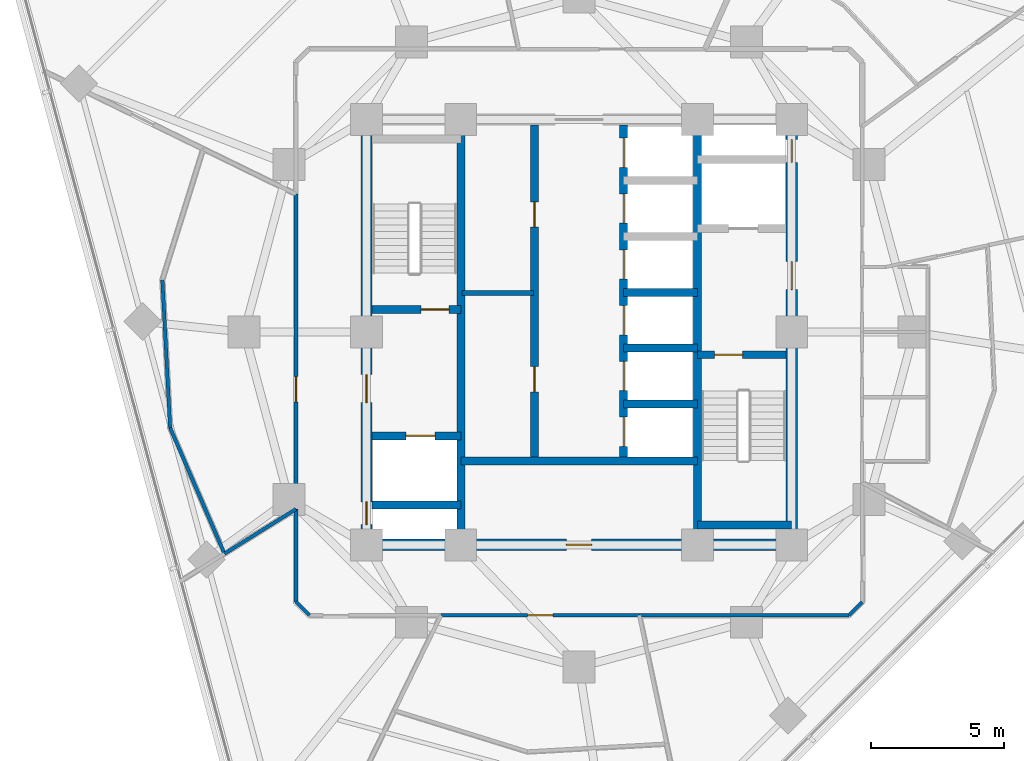
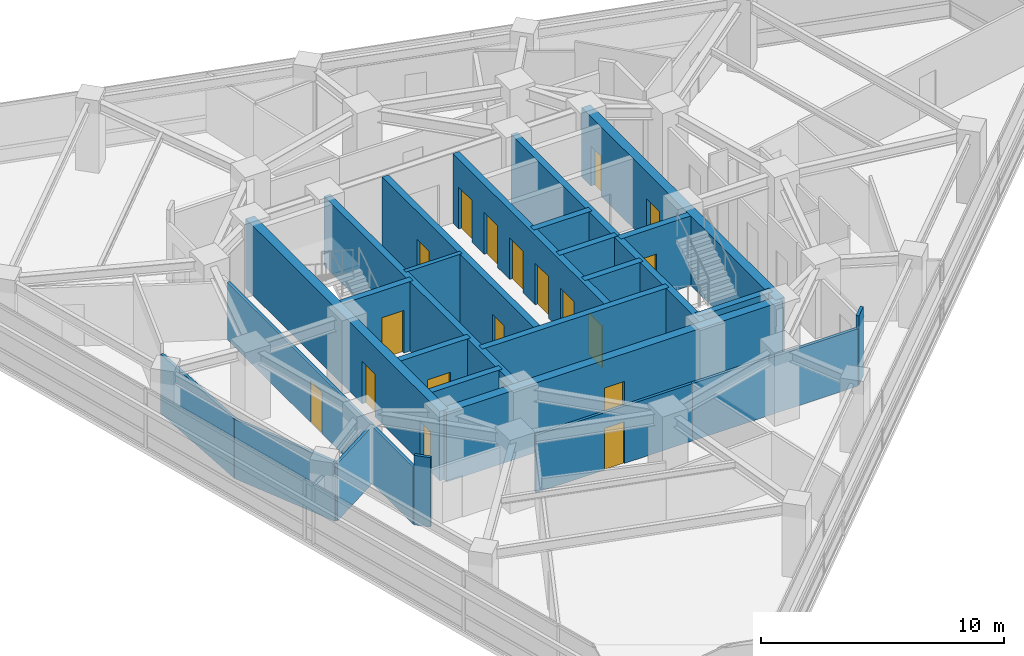
# One storey, part 7 of 14: 26 walls, 18 doors, 18 openings.
"""IFC4 building model written with IfcOpenShell, lengths in metres."""

from ifc_helpers import new_model, si_unit, direction, frame, frame_2d, origin, place, context, subcontext, project, spatial, rectangle, extrude, material, layer, layer_set, type_object, element, fill, save


model = new_model("IFC4")

# Units and contexts
model_context = context("Model", 3, precision=1e-05, world=origin(), true_north=direction((0.0, 1.0)))
body_context = subcontext(model_context, "Body", "Model", "MODEL_VIEW")
ifc_project = project(units=[si_unit("LENGTHUNIT", "METRE"), si_unit("AREAUNIT", "SQUARE_METRE"), si_unit("VOLUMEUNIT", "CUBIC_METRE"), si_unit("PLANEANGLEUNIT", "RADIAN"), si_unit("MASSUNIT", "GRAM", prefix="KILO")], contexts=[model_context])

# Site, building, storey
site_placement = place(None, origin())
site = spatial("IfcSite", under=ifc_project, at=site_placement, CompositionType="ELEMENT")
building_placement = place(site_placement, origin())
building = spatial("IfcBuilding", under=site, at=building_placement, Name="Terralouvre Media Tower", CompositionType="ELEMENT")
storey_placement = place(building_placement, frame((0.0, 0.0, 187.89990234375)))
storey = spatial("IfcBuildingStorey", under=building, at=storey_placement, Name="L48", CompositionType="ELEMENT", Elevation=187.89990234375)

# Walls
ifc_material_1 = material(Name="Concrete C50/60", Category="concrete")
ifc_layer_1 = layer(ifc_material_1, 0.300048828125, Name="Core Internal Shaft Wall CW-300")
ifc_layer_set_1 = layer_set([ifc_layer_1], Name="Concrete C50/60")
wall_type_1 = type_object("IfcWallType", Name="Core Internal Shaft Wall CW-300", PredefinedType="SHEAR", material=ifc_layer_set_1)
for number, where, z_axis, x_axis, name in (
    (1, (-4.449951171875, -7.7900390625, 0.0), (0.0, 0.0, 1.0), (0.0, 1.0, 0.0), "L48 Core Shaft Wall SPW"),
    (2, (4.449951171875, -7.7900390625, 0.0), (0.0, 0.0, 1.0), (0.0, 1.0, 0.0), "L48 Core Shaft Wall SPE"),
):
    element("IfcWall", number, at=place(storey_placement, frame(where, z_axis=z_axis, x_axis=x_axis)), inside=storey, type_object=wall_type_1, Name=name, PredefinedType="SHEAR", context=body_context, shape_type="SweptSolid", body=[
        extrude(rectangle(XDim=15.580078125, YDim=0.300048828125, at=frame_2d((7.7900390625, 0.0))), origin(), (0.0, 0.0, 1.0), 3.5),
    ])

# Wall, opening, door
wall_1_placement = place(storey_placement, frame((-7.7900390625, 0.85009765625, 0.0), z_axis=(0.0, 0.0, 1.0), x_axis=(1.0, 0.0, 0.0)))
wall_1 = element("IfcWall", 3, at=wall_1_placement, inside=storey, type_object=wall_type_1, Name="L48 Core Shaft Wall ST1D", PredefinedType="SHEAR", context=body_context, shape_type="SweptSolid", body=[
    extrude(rectangle(XDim=3.340087890625, YDim=0.300048828125, at=frame_2d((1.669921875, 0.0))), origin(), (0.0, 0.0, 1.0), 3.5),
])
opening_1_placement = place(wall_1_placement, frame((1.85009765625, 0.0, 0.0)))
opening_1 = element("IfcOpeningElement", 4, at=opening_1_placement, cuts=wall_1, Name="Opening FD-01-105X215", PredefinedType="OPENING", context=body_context, shape_type="SweptSolid", body=[
    extrude(rectangle(XDim=1.050048828125, YDim=2.14990234375, at=frame_2d((0.52490234375, 1.074951171875))), frame((0.0, 0.159912109375, 0.0), z_axis=(0.0, -1.0, 0.0), x_axis=(1.0, 0.0, 0.0)), (0.0, 0.0, 1.0), 0.320068359375),
])
ifc_material_2 = material(Name="Galvanised steel fire-resisting leaf", Category="steel")
door_type_1 = type_object("IfcDoorType", Name="Stair and Firefighting Lobby Fire Door FD-01 (1050x2150)", OperationType="NOTDEFINED", PredefinedType="DOOR", material=ifc_material_2)
door_1_placement = place(opening_1_placement, origin())
door_1 = element("IfcDoor", 5, at=door_1_placement, inside=storey, type_object=door_type_1, Name="L48 ST-01 Exit Stair Door", OperationType="SINGLE_SWING_LEFT", OverallHeight=2.14990234375, OverallWidth=1.050048828125, PredefinedType="DOOR", context=body_context, shape_type="SweptSolid", body=[
    extrude(rectangle(XDim=1.050048828125, YDim=2.14990234375, at=frame_2d((0.52490234375, 1.074951171875))), frame((0.0, 0.02490234375, 0.0), z_axis=(0.0, -1.0, 0.0), x_axis=(1.0, 0.0, 0.0)), (0.0, 0.0, 1.0), 0.050048828125),
])
fill(opening_1, door_1)

wall_2_placement = place(storey_placement, frame((4.449951171875, -0.85009765625, 0.0), z_axis=(0.0, 0.0, 1.0), x_axis=(1.0, 0.0, 0.0)))
wall_2 = element("IfcWall", 6, at=wall_2_placement, inside=storey, type_object=wall_type_1, Name="L48 Core Shaft Wall ST2D", PredefinedType="SHEAR", context=body_context, shape_type="SweptSolid", body=[
    extrude(rectangle(XDim=3.340087890625, YDim=0.300048828125, at=frame_2d((1.669921875, 0.0))), origin(), (0.0, 0.0, 1.0), 3.5),
])
opening_2_placement = place(wall_2_placement, frame((0.64990234375, 0.0, 0.0)))
opening_2 = element("IfcOpeningElement", 7, at=opening_2_placement, cuts=wall_2, Name="Opening FD-01-105X215", PredefinedType="OPENING", context=body_context, shape_type="SweptSolid", body=[
    extrude(rectangle(XDim=1.050048828125, YDim=2.14990234375, at=frame_2d((0.52490234375, 1.074951171875))), frame((0.0, 0.159912109375, 0.0), z_axis=(0.0, -1.0, 0.0), x_axis=(1.0, 0.0, 0.0)), (0.0, 0.0, 1.0), 0.320068359375),
])
door_2_placement = place(opening_2_placement, origin())
door_2 = element("IfcDoor", 8, at=door_2_placement, inside=storey, type_object=door_type_1, Name="L48 ST-02 Exit Stair Door", OperationType="SINGLE_SWING_RIGHT", OverallHeight=2.14990234375, OverallWidth=1.050048828125, PredefinedType="DOOR", context=body_context, shape_type="SweptSolid", body=[
    extrude(rectangle(XDim=1.050048828125, YDim=2.14990234375, at=frame_2d((0.52490234375, 1.074951171875))), frame((0.0, 0.02490234375, 0.0), z_axis=(0.0, -1.0, 0.0), x_axis=(1.0, 0.0, 0.0)), (0.0, 0.0, 1.0), 0.050048828125),
])
fill(opening_2, door_2)

# Wall
wall_3_placement = place(storey_placement, frame((4.449951171875, -7.260009765625, 0.0), z_axis=(0.0, 0.0, 1.0), x_axis=(1.0, 0.0, 0.0)))
element("IfcWall", 9, at=wall_3_placement, inside=storey, type_object=wall_type_1, Name="L48 Core Shaft Wall ST2F", PredefinedType="SHEAR", context=body_context, shape_type="SweptSolid", body=[
    extrude(rectangle(XDim=3.550048828125, YDim=0.300048828125, at=frame_2d((1.77490234375, 0.0))), origin(), (0.0, 0.0, 1.0), 3.5),
])

# Wall, opening, door
wall_4_placement = place(storey_placement, frame((-7.7900390625, -3.89990234375, 0.0), z_axis=(0.0, 0.0, 1.0), x_axis=(1.0, 0.0, 0.0)))
wall_4 = element("IfcWall", 10, at=wall_4_placement, inside=storey, type_object=wall_type_1, Name="L48 Core Shaft Wall FF1N", PredefinedType="SHEAR", context=body_context, shape_type="SweptSolid", body=[
    extrude(rectangle(XDim=3.340087890625, YDim=0.300048828125, at=frame_2d((1.669921875, 0.0))), origin(), (0.0, 0.0, 1.0), 3.5),
])
opening_3_placement = place(wall_4_placement, frame((1.27001953125, 0.0, 0.0)))
opening_3 = element("IfcOpeningElement", 11, at=opening_3_placement, cuts=wall_4, Name="Opening LD-FF", PredefinedType="OPENING", context=body_context, shape_type="SweptSolid", body=[
    extrude(rectangle(XDim=1.10009765625, YDim=2.10009765625, at=frame_2d((0.550048828125, 1.050048828125))), frame((0.0, 0.159912109375, 0.0), z_axis=(0.0, -1.0, 0.0), x_axis=(1.0, 0.0, 0.0)), (0.0, 0.0, 1.0), 0.320068359375),
])
ifc_material_3 = material(Name="Stainless steel 316 handrail and balustrade", Category="steel")
door_type_2 = type_object("IfcDoorType", Name="Firefighting Lift Sliding Landing Door LD-FF", OperationType="SLIDING_TO_LEFT", PredefinedType="DOOR", material=ifc_material_3)
door_3_placement = place(opening_3_placement, origin())
door_3 = element("IfcDoor", 12, at=door_3_placement, inside=storey, type_object=door_type_2, Name="L48 Firefighting Lift FFL-01 Landing Door", OperationType="SLIDING_TO_LEFT", OverallHeight=2.10009765625, OverallWidth=1.10009765625, PredefinedType="DOOR", context=body_context, shape_type="SweptSolid", body=[
    extrude(rectangle(XDim=1.10009765625, YDim=2.10009765625, at=frame_2d((0.550048828125, 1.050048828125))), frame((0.0, 0.02490234375, 0.0), z_axis=(0.0, -1.0, 0.0), x_axis=(1.0, 0.0, 0.0)), (0.0, 0.0, 1.0), 0.050048828125),
])
fill(opening_3, door_3)

# Walls
wall_5_placement = place(storey_placement, frame((-7.7900390625, -6.5, 0.0), z_axis=(0.0, 0.0, 1.0), x_axis=(1.0, 0.0, 0.0)))
element("IfcWall", 13, at=wall_5_placement, inside=storey, type_object=wall_type_1, Name="L48 Core Shaft Wall FF1S", PredefinedType="SHEAR", context=body_context, shape_type="SweptSolid", body=[
    extrude(rectangle(XDim=3.340087890625, YDim=0.300048828125, at=frame_2d((1.669921875, 0.0))), origin(), (0.0, 0.0, 1.0), 3.5),
])
wall_6_placement = place(storey_placement, frame((-4.449951171875, -4.85009765625, 0.0), z_axis=(0.0, 0.0, 1.0), x_axis=(1.0, 0.0, 0.0)))
element("IfcWall", 14, at=wall_6_placement, inside=storey, type_object=wall_type_1, Name="L48 Core Shaft Wall CSBN", PredefinedType="SHEAR", context=body_context, shape_type="SweptSolid", body=[
    extrude(rectangle(XDim=8.89990234375, YDim=0.300048828125, at=frame_2d((4.449951171875, 0.0))), origin(), (0.0, 0.0, 1.0), 3.5),
])

# Wall, openings, doors
wall_7_placement = place(storey_placement, frame((-1.679931640625, -4.85009765625, 0.0), z_axis=(0.0, 0.0, 1.0), x_axis=(0.0, 1.0, 0.0)))
wall_7 = element("IfcWall", 15, at=wall_7_placement, inside=storey, type_object=wall_type_1, Name="L48 Core Shaft Wall LBW", PredefinedType="SHEAR", context=body_context, shape_type="SweptSolid", body=[
    extrude(rectangle(XDim=12.64013671875, YDim=0.300048828125, at=frame_2d((6.320068359375, 0.0))), origin(), (0.0, 0.0, 1.0), 3.5),
])
opening_4_placement = place(wall_7_placement, frame((2.60009765625, 0.0, 0.0)))
opening_4 = element("IfcOpeningElement", 16, at=opening_4_placement, cuts=wall_7, Name="Opening FD-02-95X210", PredefinedType="OPENING", context=body_context, shape_type="SweptSolid", body=[
    extrude(rectangle(XDim=0.949951171875, YDim=2.10009765625, at=frame_2d((0.47509765625, 1.050048828125))), frame((0.0, 0.159912109375, 0.0), z_axis=(0.0, -1.0, 0.0), x_axis=(1.0, 0.0, 0.0)), (0.0, 0.0, 1.0), 0.320068359375),
])
opening_5_placement = place(wall_7_placement, frame((8.800048828125, 0.0, 0.0)))
opening_5 = element("IfcOpeningElement", 17, at=opening_5_placement, cuts=wall_7, Name="Opening FD-04-95X210", PredefinedType="OPENING", context=body_context, shape_type="SweptSolid", body=[
    extrude(rectangle(XDim=0.949951171875, YDim=2.10009765625, at=frame_2d((0.47509765625, 1.050048828125))), frame((0.0, 0.159912109375, 0.0), z_axis=(0.0, -1.0, 0.0), x_axis=(1.0, 0.0, 0.0)), (0.0, 0.0, 1.0), 0.320068359375),
])
ifc_material_4 = material(Name="Galvanised steel fire-resisting leaf", Category="steel")
door_type_3 = type_object("IfcDoorType", Name="Core Store and Service Fire Door FD-04 (950x2100)", OperationType="NOTDEFINED", PredefinedType="DOOR", material=ifc_material_4)
door_4_placement = place(opening_5_placement, origin())
door_4 = element("IfcDoor", 18, at=door_4_placement, inside=storey, type_object=door_type_3, Name="L48 Core Linen Store Door", OperationType="SINGLE_SWING_RIGHT", OverallHeight=2.10009765625, OverallWidth=0.949951171875, PredefinedType="DOOR", context=body_context, shape_type="SweptSolid", body=[
    extrude(rectangle(XDim=0.949951171875, YDim=2.10009765625, at=frame_2d((0.47509765625, 1.050048828125))), frame((0.0, 0.02490234375, 0.0), z_axis=(0.0, -1.0, 0.0), x_axis=(1.0, 0.0, 0.0)), (0.0, 0.0, 1.0), 0.050048828125),
])
fill(opening_5, door_4)
ifc_material_5 = material(Name="Galvanised steel fire-resisting leaf", Category="steel")
door_type_4 = type_object("IfcDoorType", Name="Plant and Riser Fire Door FD-02 (950x2100)", OperationType="NOTDEFINED", PredefinedType="DOOR", material=ifc_material_5)
door_5_placement = place(opening_4_placement, origin())
door_5 = element("IfcDoor", 19, at=door_5_placement, inside=storey, type_object=door_type_4, Name="L48 Core Fibre Patch Plant Door", OperationType="SINGLE_SWING_LEFT", OverallHeight=2.10009765625, OverallWidth=0.949951171875, PredefinedType="DOOR", context=body_context, shape_type="SweptSolid", body=[
    extrude(rectangle(XDim=0.949951171875, YDim=2.10009765625, at=frame_2d((0.47509765625, 1.050048828125))), frame((0.0, 0.02490234375, 0.0), z_axis=(0.0, -1.0, 0.0), x_axis=(1.0, 0.0, 0.0)), (0.0, 0.0, 1.0), 0.050048828125),
])
fill(opening_4, door_5)

wall_8_placement = place(storey_placement, frame((1.679931640625, -4.85009765625, 0.0), z_axis=(0.0, 0.0, 1.0), x_axis=(0.0, 1.0, 0.0)))
wall_8 = element("IfcWall", 20, at=wall_8_placement, inside=storey, type_object=wall_type_1, Name="L48 Core Shaft Wall LBE", PredefinedType="SHEAR", context=body_context, shape_type="SweptSolid", body=[
    extrude(rectangle(XDim=12.64013671875, YDim=0.300048828125, at=frame_2d((6.320068359375, 0.0))), origin(), (0.0, 0.0, 1.0), 3.5),
])
opening_6_placement = place(wall_8_placement, frame((0.550048828125, 0.0, 0.0)))
opening_6 = element("IfcOpeningElement", 21, at=opening_6_placement, cuts=wall_8, Name="Opening LD-PL", PredefinedType="OPENING", context=body_context, shape_type="SweptSolid", body=[
    extrude(rectangle(XDim=1.10009765625, YDim=2.10009765625, at=frame_2d((0.550048828125, 1.050048828125))), frame((0.0, 0.159912109375, 0.0), z_axis=(0.0, -1.0, 0.0), x_axis=(1.0, 0.0, 0.0)), (0.0, 0.0, 1.0), 0.320068359375),
])
opening_7_placement = place(wall_8_placement, frame((2.64990234375, 0.0, 0.0)))
opening_7 = element("IfcOpeningElement", 22, at=opening_7_placement, cuts=wall_8, Name="Opening LD-PL", PredefinedType="OPENING", context=body_context, shape_type="SweptSolid", body=[
    extrude(rectangle(XDim=1.10009765625, YDim=2.10009765625, at=frame_2d((0.550048828125, 1.050048828125))), frame((0.0, 0.159912109375, 0.0), z_axis=(0.0, -1.0, 0.0), x_axis=(1.0, 0.0, 0.0)), (0.0, 0.0, 1.0), 0.320068359375),
])
opening_8_placement = place(wall_8_placement, frame((4.75, 0.0, 0.0)))
opening_8 = element("IfcOpeningElement", 23, at=opening_8_placement, cuts=wall_8, Name="Opening LD-PL", PredefinedType="OPENING", context=body_context, shape_type="SweptSolid", body=[
    extrude(rectangle(XDim=1.10009765625, YDim=2.10009765625, at=frame_2d((0.550048828125, 1.050048828125))), frame((0.0, 0.159912109375, 0.0), z_axis=(0.0, -1.0, 0.0), x_axis=(1.0, 0.0, 0.0)), (0.0, 0.0, 1.0), 0.320068359375),
])
opening_9_placement = place(wall_8_placement, frame((6.85009765625, 0.0, 0.0)))
opening_9 = element("IfcOpeningElement", 24, at=opening_9_placement, cuts=wall_8, Name="Opening LD-PL", PredefinedType="OPENING", context=body_context, shape_type="SweptSolid", body=[
    extrude(rectangle(XDim=1.10009765625, YDim=2.10009765625, at=frame_2d((0.550048828125, 1.050048828125))), frame((0.0, 0.159912109375, 0.0), z_axis=(0.0, -1.0, 0.0), x_axis=(1.0, 0.0, 0.0)), (0.0, 0.0, 1.0), 0.320068359375),
])
opening_10_placement = place(wall_8_placement, frame((8.949951171875, 0.0, 0.0)))
opening_10 = element("IfcOpeningElement", 25, at=opening_10_placement, cuts=wall_8, Name="Opening LD-PL", PredefinedType="OPENING", context=body_context, shape_type="SweptSolid", body=[
    extrude(rectangle(XDim=1.10009765625, YDim=2.10009765625, at=frame_2d((0.550048828125, 1.050048828125))), frame((0.0, 0.159912109375, 0.0), z_axis=(0.0, -1.0, 0.0), x_axis=(1.0, 0.0, 0.0)), (0.0, 0.0, 1.0), 0.320068359375),
])
opening_11_placement = place(wall_8_placement, frame((11.050048828125, 0.0, 0.0)))
opening_11 = element("IfcOpeningElement", 26, at=opening_11_placement, cuts=wall_8, Name="Opening LD-PL", PredefinedType="OPENING", context=body_context, shape_type="SweptSolid", body=[
    extrude(rectangle(XDim=1.10009765625, YDim=2.10009765625, at=frame_2d((0.550048828125, 1.050048828125))), frame((0.0, 0.159912109375, 0.0), z_axis=(0.0, -1.0, 0.0), x_axis=(1.0, 0.0, 0.0)), (0.0, 0.0, 1.0), 0.320068359375),
])
ifc_material_6 = material(Name="Stainless steel 316 handrail and balustrade", Category="steel")
door_type_5 = type_object("IfcDoorType", Name="Passenger Lift Sliding Landing Door LD-PL", OperationType="SLIDING_TO_LEFT", PredefinedType="DOOR", material=ifc_material_6)
door_6_placement = place(opening_6_placement, origin())
door_6 = element("IfcDoor", 27, at=door_6_placement, inside=storey, type_object=door_type_5, Name="L48 High-Rise Lift PL-H1 Landing Door", OperationType="SLIDING_TO_LEFT", OverallHeight=2.10009765625, OverallWidth=1.10009765625, PredefinedType="DOOR", context=body_context, shape_type="SweptSolid", body=[
    extrude(rectangle(XDim=1.10009765625, YDim=2.10009765625, at=frame_2d((0.550048828125, 1.050048828125))), frame((0.0, 0.02490234375, 0.0), z_axis=(0.0, -1.0, 0.0), x_axis=(1.0, 0.0, 0.0)), (0.0, 0.0, 1.0), 0.050048828125),
])
fill(opening_6, door_6)
door_7_placement = place(opening_7_placement, origin())
door_7 = element("IfcDoor", 28, at=door_7_placement, inside=storey, type_object=door_type_5, Name="L48 High-Rise Lift PL-H2 Landing Door", OperationType="SLIDING_TO_LEFT", OverallHeight=2.10009765625, OverallWidth=1.10009765625, PredefinedType="DOOR", context=body_context, shape_type="SweptSolid", body=[
    extrude(rectangle(XDim=1.10009765625, YDim=2.10009765625, at=frame_2d((0.550048828125, 1.050048828125))), frame((0.0, 0.02490234375, 0.0), z_axis=(0.0, -1.0, 0.0), x_axis=(1.0, 0.0, 0.0)), (0.0, 0.0, 1.0), 0.050048828125),
])
fill(opening_7, door_7)
door_8_placement = place(opening_8_placement, origin())
door_8 = element("IfcDoor", 29, at=door_8_placement, inside=storey, type_object=door_type_5, Name="L48 High-Rise Lift PL-H3 Landing Door", OperationType="SLIDING_TO_LEFT", OverallHeight=2.10009765625, OverallWidth=1.10009765625, PredefinedType="DOOR", context=body_context, shape_type="SweptSolid", body=[
    extrude(rectangle(XDim=1.10009765625, YDim=2.10009765625, at=frame_2d((0.550048828125, 1.050048828125))), frame((0.0, 0.02490234375, 0.0), z_axis=(0.0, -1.0, 0.0), x_axis=(1.0, 0.0, 0.0)), (0.0, 0.0, 1.0), 0.050048828125),
])
fill(opening_8, door_8)
door_9_placement = place(opening_9_placement, origin())
door_9 = element("IfcDoor", 30, at=door_9_placement, inside=storey, type_object=door_type_5, Name="L48 Mid-Rise Lift PL-M1 Landing Door", OperationType="SLIDING_TO_LEFT", OverallHeight=2.10009765625, OverallWidth=1.10009765625, PredefinedType="DOOR", context=body_context, shape_type="SweptSolid", body=[
    extrude(rectangle(XDim=1.10009765625, YDim=2.10009765625, at=frame_2d((0.550048828125, 1.050048828125))), frame((0.0, 0.02490234375, 0.0), z_axis=(0.0, -1.0, 0.0), x_axis=(1.0, 0.0, 0.0)), (0.0, 0.0, 1.0), 0.050048828125),
])
fill(opening_9, door_9)
door_10_placement = place(opening_10_placement, origin())
door_10 = element("IfcDoor", 31, at=door_10_placement, inside=storey, type_object=door_type_5, Name="L48 Mid-Rise Lift PL-M2 Landing Door", OperationType="SLIDING_TO_LEFT", OverallHeight=2.10009765625, OverallWidth=1.10009765625, PredefinedType="DOOR", context=body_context, shape_type="SweptSolid", body=[
    extrude(rectangle(XDim=1.10009765625, YDim=2.10009765625, at=frame_2d((0.550048828125, 1.050048828125))), frame((0.0, 0.02490234375, 0.0), z_axis=(0.0, -1.0, 0.0), x_axis=(1.0, 0.0, 0.0)), (0.0, 0.0, 1.0), 0.050048828125),
])
fill(opening_10, door_10)
door_11_placement = place(opening_11_placement, origin())
door_11 = element("IfcDoor", 32, at=door_11_placement, inside=storey, type_object=door_type_5, Name="L48 Mid-Rise Lift PL-M3 Landing Door", OperationType="SLIDING_TO_LEFT", OverallHeight=2.10009765625, OverallWidth=1.10009765625, PredefinedType="DOOR", context=body_context, shape_type="SweptSolid", body=[
    extrude(rectangle(XDim=1.10009765625, YDim=2.10009765625, at=frame_2d((0.550048828125, 1.050048828125))), frame((0.0, 0.02490234375, 0.0), z_axis=(0.0, -1.0, 0.0), x_axis=(1.0, 0.0, 0.0)), (0.0, 0.0, 1.0), 0.050048828125),
])
fill(opening_11, door_11)

# Walls
for number, where, z_axis, x_axis, name in (
    (33, (1.679931640625, 1.5, 0.0), (0.0, 0.0, 1.0), (1.0, 0.0, 0.0), "L48 Core Shaft Wall PLMD0"),
    (34, (1.679931640625, -2.699951171875, 0.0), (0.0, 0.0, 1.0), (1.0, 0.0, 0.0), "L48 Core Shaft Wall PLHD1"),
    (35, (1.679931640625, -0.60009765625, 0.0), (0.0, 0.0, 1.0), (1.0, 0.0, 0.0), "L48 Core Shaft Wall PLHD2"),
):
    element("IfcWall", number, at=place(storey_placement, frame(where, z_axis=z_axis, x_axis=x_axis)), inside=storey, type_object=wall_type_1, Name=name, PredefinedType="SHEAR", context=body_context, shape_type="SweptSolid", body=[
        extrude(rectangle(XDim=2.77001953125, YDim=0.300048828125, at=frame_2d((1.385009765625, 0.0))), origin(), (0.0, 0.0, 1.0), 3.5),
    ])

# Wall, openings, doors
ifc_material_7 = material(Name="Concrete C60/75", Category="concrete")
ifc_layer_2 = layer(ifc_material_7, 0.419921875, Name="Core Reinforced Concrete Shear Wall CW-420")
ifc_layer_set_2 = layer_set([ifc_layer_2], Name="Concrete C60/75")
wall_type_2 = type_object("IfcWallType", Name="Core Reinforced Concrete Shear Wall CW-420", PredefinedType="SHEAR", material=ifc_layer_set_2)
wall_9_placement = place(storey_placement, frame((-8.0, -8.0, 0.0), z_axis=(0.0, 0.0, 1.0), x_axis=(0.0, 1.0, 0.0)))
wall_9 = element("IfcWall", 36, at=wall_9_placement, inside=storey, type_object=wall_type_2, Name="L48 W Core Shear Wall", PredefinedType="SHEAR", context=body_context, shape_type="SweptSolid", body=[
    extrude(rectangle(XDim=16.0, YDim=0.419921875, at=frame_2d((8.0, 0.0))), origin(), (0.0, 0.0, 1.0), 3.5),
])
opening_12_placement = place(wall_9_placement, frame((0.76123046875, 0.0, 0.0)))
opening_12 = element("IfcOpeningElement", 37, at=opening_12_placement, cuts=wall_9, Name="Opening TD-R1", PredefinedType="OPENING", context=body_context, shape_type="SweptSolid", body=[
    extrude(rectangle(XDim=0.85009765625, YDim=2.02001953125, at=frame_2d((0.425048828125, 1.010009765625))), frame((0.0, 0.219970703125, 0.0), z_axis=(0.0, -1.0, 0.0), x_axis=(1.0, 0.0, 0.0)), (0.0, 0.0, 1.0), 0.43994140625),
])
opening_13_placement = place(wall_9_placement, frame((5.35009765625, 0.0, 0.0)))
opening_13 = element("IfcOpeningElement", 38, at=opening_13_placement, cuts=wall_9, Name="Opening FD-01-105X215", PredefinedType="OPENING", context=body_context, shape_type="SweptSolid", body=[
    extrude(rectangle(XDim=1.050048828125, YDim=2.14990234375, at=frame_2d((0.52490234375, 1.074951171875))), frame((0.0, 0.219970703125, 0.0), z_axis=(0.0, -1.0, 0.0), x_axis=(1.0, 0.0, 0.0)), (0.0, 0.0, 1.0), 0.43994140625),
])
ifc_material_8 = material(Name="Galvanised steel fire-resisting leaf", Category="steel")
door_type_6 = type_object("IfcDoorType", Name="Riser Inspection Access Trapdoor TD-R1", OperationType="NOTDEFINED", PredefinedType="TRAPDOOR", material=ifc_material_8)
door_12_placement = place(opening_12_placement, origin())
door_12 = element("IfcDoor", 39, at=door_12_placement, inside=storey, type_object=door_type_6, Name="L48 Wet Riser Access Trapdoor", OperationType="SINGLE_SWING_LEFT", OverallHeight=2.02001953125, OverallWidth=0.85009765625, PredefinedType="TRAPDOOR", context=body_context, shape_type="SweptSolid", body=[
    extrude(rectangle(XDim=0.85009765625, YDim=2.02001953125, at=frame_2d((0.425048828125, 1.010009765625))), frame((0.0, 0.02490234375, 0.0), z_axis=(0.0, -1.0, 0.0), x_axis=(1.0, 0.0, 0.0)), (0.0, 0.0, 1.0), 0.050048828125),
])
fill(opening_12, door_12)
door_13_placement = place(opening_13_placement, origin())
door_13 = element("IfcDoor", 40, at=door_13_placement, inside=storey, type_object=door_type_1, Name="L48 West Firefighting Lobby Entry Door", OperationType="SINGLE_SWING_RIGHT", OverallHeight=2.14990234375, OverallWidth=1.050048828125, PredefinedType="DOOR", context=body_context, shape_type="SweptSolid", body=[
    extrude(rectangle(XDim=1.050048828125, YDim=2.14990234375, at=frame_2d((0.52490234375, 1.074951171875))), frame((0.0, 0.02490234375, 0.0), z_axis=(0.0, -1.0, 0.0), x_axis=(1.0, 0.0, 0.0)), (0.0, 0.0, 1.0), 0.050048828125),
])
fill(opening_13, door_13)

wall_10_placement = place(storey_placement, frame((8.0, -8.0, 0.0), z_axis=(0.0, 0.0, 1.0), x_axis=(0.0, 1.0, 0.0)))
wall_10 = element("IfcWall", 41, at=wall_10_placement, inside=storey, type_object=wall_type_2, Name="L48 E Core Shear Wall", PredefinedType="SHEAR", context=body_context, shape_type="SweptSolid", body=[
    extrude(rectangle(XDim=16.0, YDim=0.419921875, at=frame_2d((8.0, 0.0))), origin(), (0.0, 0.0, 1.0), 3.5),
])
opening_14_placement = place(wall_10_placement, frame((9.60009765625, 0.0, 0.0)))
opening_14 = element("IfcOpeningElement", 42, at=opening_14_placement, cuts=wall_10, Name="Opening FD-01-105X215", PredefinedType="OPENING", context=body_context, shape_type="SweptSolid", body=[
    extrude(rectangle(XDim=1.050048828125, YDim=2.14990234375, at=frame_2d((0.52490234375, 1.074951171875))), frame((0.0, 0.219970703125, 0.0), z_axis=(0.0, -1.0, 0.0), x_axis=(1.0, 0.0, 0.0)), (0.0, 0.0, 1.0), 0.43994140625),
])
opening_15_placement = place(wall_10_placement, frame((14.388671875, 0.0, 0.0)))
opening_15 = element("IfcOpeningElement", 43, at=opening_15_placement, cuts=wall_10, Name="Opening TD-R1", PredefinedType="OPENING", context=body_context, shape_type="SweptSolid", body=[
    extrude(rectangle(XDim=0.85009765625, YDim=2.02001953125, at=frame_2d((0.425048828125, 1.010009765625))), frame((0.0, 0.219970703125, 0.0), z_axis=(0.0, -1.0, 0.0), x_axis=(1.0, 0.0, 0.0)), (0.0, 0.0, 1.0), 0.43994140625),
])
door_14_placement = place(opening_15_placement, origin())
door_14 = element("IfcDoor", 44, at=door_14_placement, inside=storey, type_object=door_type_6, Name="L48 East Comms Riser Access Trapdoor", OperationType="SINGLE_SWING_RIGHT", OverallHeight=2.02001953125, OverallWidth=0.85009765625, PredefinedType="TRAPDOOR", context=body_context, shape_type="SweptSolid", body=[
    extrude(rectangle(XDim=0.85009765625, YDim=2.02001953125, at=frame_2d((0.425048828125, 1.010009765625))), frame((0.0, 0.02490234375, 0.0), z_axis=(0.0, -1.0, 0.0), x_axis=(1.0, 0.0, 0.0)), (0.0, 0.0, 1.0), 0.050048828125),
])
fill(opening_15, door_14)
door_15_placement = place(opening_14_placement, origin())
door_15 = element("IfcDoor", 45, at=door_15_placement, inside=storey, type_object=door_type_1, Name="L48 East Firefighting Lobby Entry Door", OperationType="SINGLE_SWING_LEFT", OverallHeight=2.14990234375, OverallWidth=1.050048828125, PredefinedType="DOOR", context=body_context, shape_type="SweptSolid", body=[
    extrude(rectangle(XDim=1.050048828125, YDim=2.14990234375, at=frame_2d((0.52490234375, 1.074951171875))), frame((0.0, 0.02490234375, 0.0), z_axis=(0.0, -1.0, 0.0), x_axis=(1.0, 0.0, 0.0)), (0.0, 0.0, 1.0), 0.050048828125),
])
fill(opening_14, door_15)

# Wall, opening, door
wall_11_placement = place(storey_placement, frame((-8.0, -8.0, 0.0), z_axis=(0.0, 0.0, 1.0), x_axis=(1.0, 0.0, 0.0)))
wall_11 = element("IfcWall", 46, at=wall_11_placement, inside=storey, type_object=wall_type_2, Name="L48 S Core Shear Wall", PredefinedType="SHEAR", context=body_context, shape_type="SweptSolid", body=[
    extrude(rectangle(XDim=16.0, YDim=0.419921875, at=frame_2d((8.0, 0.0))), origin(), (0.0, 0.0, 1.0), 3.5),
])
opening_16_placement = place(wall_11_placement, frame((7.52001953125, 0.0, 0.0)))
opening_16 = element("IfcOpeningElement", 47, at=opening_16_placement, cuts=wall_11, Name="Opening FD-02-95X210", PredefinedType="OPENING", context=body_context, shape_type="SweptSolid", body=[
    extrude(rectangle(XDim=0.949951171875, YDim=2.10009765625, at=frame_2d((0.47509765625, 1.050048828125))), frame((0.0, 0.219970703125, 0.0), z_axis=(0.0, -1.0, 0.0), x_axis=(1.0, 0.0, 0.0)), (0.0, 0.0, 1.0), 0.43994140625),
])
door_16_placement = place(opening_16_placement, origin())
door_16 = element("IfcDoor", 48, at=door_16_placement, inside=storey, type_object=door_type_4, Name="L48 Core Switchgear Plant Door", OperationType="SINGLE_SWING_LEFT", OverallHeight=2.10009765625, OverallWidth=0.949951171875, PredefinedType="DOOR", context=body_context, shape_type="SweptSolid", body=[
    extrude(rectangle(XDim=0.949951171875, YDim=2.10009765625, at=frame_2d((0.47509765625, 1.050048828125))), frame((0.0, 0.02490234375, 0.0), z_axis=(0.0, -1.0, 0.0), x_axis=(1.0, 0.0, 0.0)), (0.0, 0.0, 1.0), 0.050048828125),
])
fill(opening_16, door_16)

# Wall
ifc_material_9 = material(Name="Fire-rated gypsum board drywall partition")
ifc_layer_3 = layer(ifc_material_9, 0.199951171875, Name="Fire-Rated Shaft and Lobby Partition FW-200")
ifc_layer_set_3 = layer_set([ifc_layer_3], Name="Fire-rated gypsum board drywall partition")
wall_type_3 = type_object("IfcWallType", Name="Fire-Rated Shaft and Lobby Partition FW-200", PredefinedType="SOLIDWALL", material=ifc_layer_set_3)
wall_12_placement = place(storey_placement, frame((-4.39990234375, 1.469970703125, 0.0), z_axis=(0.0, 0.0, 1.0), x_axis=(1.0, 0.0, 0.0)))
element("IfcWall", 49, at=wall_12_placement, inside=storey, type_object=wall_type_3, Name="L48 Core West Sub-Partition 1", PredefinedType="SOLIDWALL", context=body_context, shape_type="SweptSolid", body=[
    extrude(rectangle(XDim=2.679931640625, YDim=0.199951171875, at=frame_2d((1.33984375, 0.0))), origin(), (0.0, 0.0, 1.0), 3.5),
])

# Wall, opening, door
ifc_material_10 = material(Name="Fire-rated gypsum board drywall partition")
ifc_layer_4 = layer(ifc_material_10, 0.135009765625, Name="Newsroom Acoustic Partition PT-135")
ifc_layer_set_4 = layer_set([ifc_layer_4], Name="Fire-rated gypsum board drywall partition")
wall_type_4 = type_object("IfcWallType", Name="Newsroom Acoustic Partition PT-135", PredefinedType="PARTITIONING", material=ifc_layer_set_4)
wall_13_placement = place(storey_placement, frame((-10.64990234375, 5.194091796875, 0.0), z_axis=(0.0, 0.0, 1.0), x_axis=(0.0, -1.0, 0.0)))
wall_13 = element("IfcWall", 50, at=wall_13_placement, inside=storey, type_object=wall_type_4, Name="L48 Interior Partition 001", PredefinedType="PARTITIONING", context=body_context, shape_type="SweptSolid", body=[
    extrude(rectangle(XDim=11.84912109375, YDim=0.135009765625, at=frame_2d((5.924560546875, 0.0))), origin(), (0.0, 0.0, 1.0), 2.885009765625),
])
opening_17_placement = place(wall_13_placement, frame((6.871337890625, 0.0, 0.0)))
opening_17 = element("IfcOpeningElement", 51, at=opening_17_placement, cuts=wall_13, Name="Opening ID-02-95X210", PredefinedType="OPENING", context=body_context, shape_type="SweptSolid", body=[
    extrude(rectangle(XDim=0.949951171875, YDim=2.10009765625, at=frame_2d((0.47509765625, 1.050048828125))), frame((0.0, 0.077392578125, 0.0), z_axis=(0.0, -1.0, 0.0), x_axis=(1.0, 0.0, 0.0)), (0.0, 0.0, 1.0), 0.155029296875),
])
ifc_material_11 = material(Name="Engineered hardwood acoustic timber leaf", Category="wood")
door_type_7 = type_object("IfcDoorType", Name="Office and Meeting Room Door ID-02 (950x2100)", OperationType="NOTDEFINED", PredefinedType="DOOR", material=ifc_material_11)
door_17_placement = place(opening_17_placement, origin())
door_17 = element("IfcDoor", 52, at=door_17_placement, inside=storey, type_object=door_type_7, Name="L48 Foley Sound Creative Workshop 1 Door", OperationType="SINGLE_SWING_RIGHT", OverallHeight=2.10009765625, OverallWidth=0.949951171875, PredefinedType="DOOR", context=body_context, shape_type="SweptSolid", body=[
    extrude(rectangle(XDim=0.949951171875, YDim=2.10009765625, at=frame_2d((0.47509765625, 1.050048828125))), frame((0.0, 0.02490234375, 0.0), z_axis=(0.0, -1.0, 0.0), x_axis=(1.0, 0.0, 0.0)), (0.0, 0.0, 1.0), 0.050048828125),
])
fill(opening_17, door_17)

# Walls
wall_14_placement = place(storey_placement, frame((-10.64990234375, -6.655029296875, 0.0), z_axis=(0.0, 0.0, 1.0), x_axis=(0.0, -1.0, 0.0)))
element("IfcWall", 53, at=wall_14_placement, inside=storey, type_object=wall_type_4, Name="L48 Interior Partition 002", PredefinedType="PARTITIONING", context=body_context, shape_type="SweptSolid", body=[
    extrude(rectangle(XDim=3.494873046875, YDim=0.135009765625, at=frame_2d((1.74755859375, 0.0))), origin(), (0.0, 0.0, 1.0), 2.885009765625),
])
wall_15_placement = place(storey_placement, frame((-10.64990234375, -10.14990234375, 0.0), z_axis=(0.0, 0.0, 1.0), x_axis=(0.707106781187, -0.707106781187, 0.0)))
element("IfcWall", 54, at=wall_15_placement, inside=storey, type_object=wall_type_4, Name="L48 Interior Partition 003", PredefinedType="PARTITIONING", context=body_context, shape_type="SweptSolid", body=[
    extrude(rectangle(XDim=0.70703125, YDim=0.135009765625, at=frame_2d((0.353515625, 0.0))), origin(), (0.0, 0.0, 1.0), 3.5),
])

# Wall, opening, door
wall_16_placement = place(storey_placement, frame((-5.194091796875, -10.64990234375, 0.0), z_axis=(0.0, 0.0, 1.0), x_axis=(1.0, 0.0, 0.0)))
wall_16 = element("IfcWall", 55, at=wall_16_placement, inside=storey, type_object=wall_type_4, Name="L48 Interior Partition 005", PredefinedType="PARTITIONING", context=body_context, shape_type="SweptSolid", body=[
    extrude(rectangle(XDim=7.4580078125, YDim=0.135009765625, at=frame_2d((3.72900390625, 0.0))), origin(), (0.0, 0.0, 1.0), 2.885009765625),
])
opening_18_placement = place(wall_16_placement, frame((3.25390625, 0.0, 0.0)))
opening_18 = element("IfcOpeningElement", 56, at=opening_18_placement, cuts=wall_16, Name="Opening ID-02-95X210", PredefinedType="OPENING", context=body_context, shape_type="SweptSolid", body=[
    extrude(rectangle(XDim=0.949951171875, YDim=2.10009765625, at=frame_2d((0.47509765625, 1.050048828125))), frame((0.0, 0.077392578125, 0.0), z_axis=(0.0, -1.0, 0.0), x_axis=(1.0, 0.0, 0.0)), (0.0, 0.0, 1.0), 0.155029296875),
])
door_18_placement = place(opening_18_placement, origin())
door_18 = element("IfcDoor", 57, at=door_18_placement, inside=storey, type_object=door_type_7, Name="L48 Acoustic Listening Study 4 Door", OperationType="SINGLE_SWING_RIGHT", OverallHeight=2.10009765625, OverallWidth=0.949951171875, PredefinedType="DOOR", context=body_context, shape_type="SweptSolid", body=[
    extrude(rectangle(XDim=0.949951171875, YDim=2.10009765625, at=frame_2d((0.47509765625, 1.050048828125))), frame((0.0, 0.02490234375, 0.0), z_axis=(0.0, -1.0, 0.0), x_axis=(1.0, 0.0, 0.0)), (0.0, 0.0, 1.0), 0.050048828125),
])
fill(opening_18, door_18)

# Walls
wall_17_placement = place(storey_placement, frame((2.263916015625, -10.64990234375, 0.0), z_axis=(0.0, 0.0, 1.0), x_axis=(1.0, 0.0, 0.0)))
element("IfcWall", 58, at=wall_17_placement, inside=storey, type_object=wall_type_4, Name="L48 Interior Partition 006", PredefinedType="PARTITIONING", context=body_context, shape_type="SweptSolid", body=[
    extrude(rectangle(XDim=7.885986328125, YDim=0.135009765625, at=frame_2d((3.94287109375, 0.0))), origin(), (0.0, 0.0, 1.0), 2.885009765625),
])
wall_18_placement = place(storey_placement, frame((10.14990234375, -10.64990234375, 0.0), z_axis=(0.0, 0.0, 1.0), x_axis=(0.707106781187, 0.707106781187, 0.0)))
element("IfcWall", 59, at=wall_18_placement, inside=storey, type_object=wall_type_4, Name="L48 Interior Partition 007", PredefinedType="PARTITIONING", context=body_context, shape_type="SweptSolid", body=[
    extrude(rectangle(XDim=0.70703125, YDim=0.135009765625, at=frame_2d((0.353515625, 0.0))), origin(), (0.0, 0.0, 1.0), 3.5),
])
wall_19_placement = place(storey_placement, frame((-13.341064453125, -8.3359375, 0.0), z_axis=(0.0, 0.0, 1.0), x_axis=(0.848149563096, 0.529756848582, 0.0)))
element("IfcWall", 60, at=wall_19_placement, inside=storey, type_object=wall_type_4, Name="L48 Interior Partition 021", PredefinedType="PARTITIONING", context=body_context, shape_type="SweptSolid", body=[
    extrude(rectangle(XDim=3.173095703125, YDim=0.135009765625, at=frame_2d((1.58642578125, 0.0))), origin(), (0.0, 0.0, 1.0), 2.885009765625),
])
wall_20_placement = place(storey_placement, frame((-15.677001953125, 1.970947265625, 0.0), z_axis=(0.0, 0.0, 1.0), x_axis=(0.052349772407, -0.998628810584, 0.0)))
element("IfcWall", 61, at=wall_20_placement, inside=storey, type_object=wall_type_4, Name="L48 Interior Partition 024", PredefinedType="PARTITIONING", context=body_context, shape_type="SweptSolid", body=[
    extrude(rectangle(XDim=5.57763671875, YDim=0.135009765625, at=frame_2d((2.788818359375, 0.0))), origin(), (0.0, 0.0, 1.0), 2.985107421875),
])
wall_21_placement = place(storey_placement, frame((-15.385009765625, -3.59912109375, 0.0), z_axis=(0.0, 0.0, 1.0), x_axis=(0.396191247476, -0.918168010455, 0.0)))
element("IfcWall", 62, at=wall_21_placement, inside=storey, type_object=wall_type_4, Name="L48 Interior Partition 025", PredefinedType="PARTITIONING", context=body_context, shape_type="SweptSolid", body=[
    extrude(rectangle(XDim=5.158935546875, YDim=0.135009765625, at=frame_2d((2.57958984375, 0.0))), origin(), (0.0, 0.0, 1.0), 2.985107421875),
])

save(model, "model.ifc")
